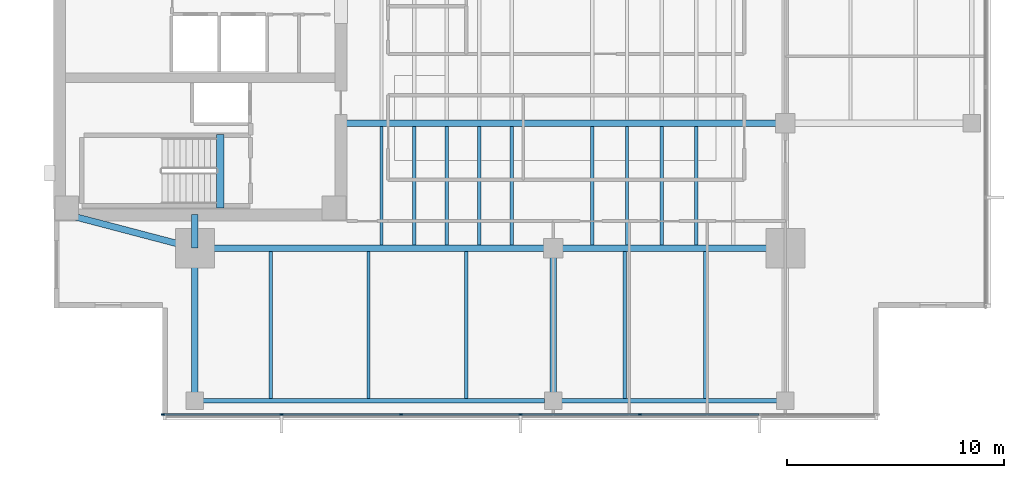
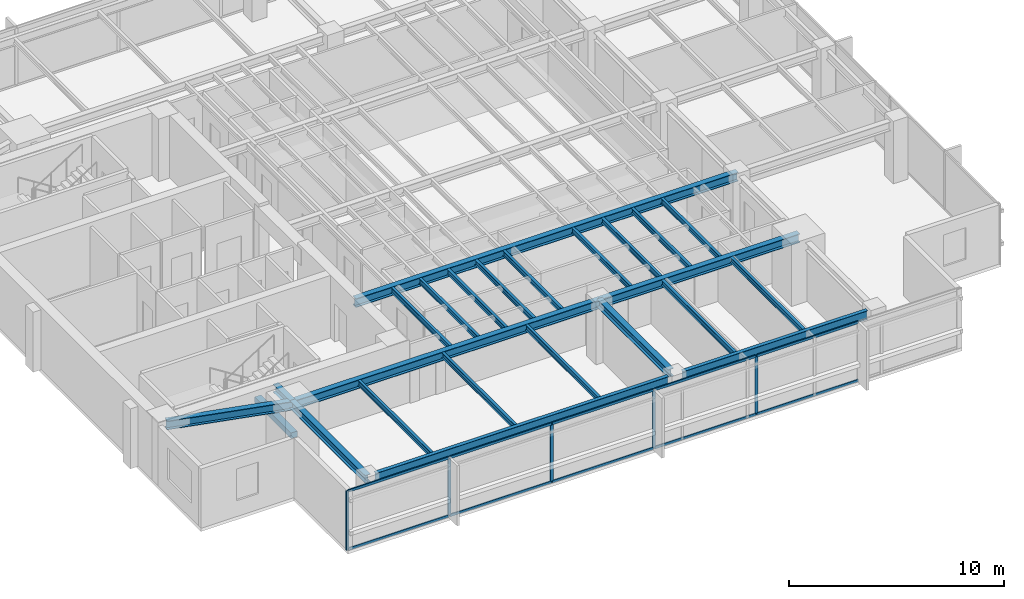
# One storey, part 2 of 14: 24 beams, 15 members, 1 element without a shape of its own.
"""IFC4 building model written with IfcOpenShell, lengths in metres."""

from ifc_helpers import new_model, si_unit, direction, frame, origin, origin_2d, place, context, subcontext, project, spatial, rectangle, i_section, extrude, material, layer, layer_set, material_profile, profile_set, type_object, element, aggregate, save


model = new_model("IFC4")

# Units and contexts
model_context = context("Model", 3, precision=1e-05, world=origin(), true_north=direction((0.0, 1.0)))
body_context = subcontext(model_context, "Body", "Model", "MODEL_VIEW")
ifc_project = project(units=[si_unit("LENGTHUNIT", "METRE"), si_unit("AREAUNIT", "SQUARE_METRE"), si_unit("VOLUMEUNIT", "CUBIC_METRE"), si_unit("PLANEANGLEUNIT", "RADIAN"), si_unit("MASSUNIT", "GRAM", prefix="KILO")], contexts=[model_context])

# Site, building, storey
site_placement = place(None, origin())
site = spatial("IfcSite", under=ifc_project, at=site_placement, CompositionType="ELEMENT")
building_placement = place(site_placement, origin())
building = spatial("IfcBuilding", under=site, at=building_placement, Name="Kinhvarn Gate Tower", CompositionType="ELEMENT")
storey_placement = place(building_placement, frame((0.0, 0.0, 227.10009765625)))
storey = spatial("IfcBuildingStorey", under=building, at=storey_placement, Name="L60", CompositionType="ELEMENT", Elevation=227.10009765625)

# Beam
ifc_material_1 = material(Name="Concrete C50/60", Category="concrete")
ifc_material_profile_1 = material_profile(ifc_material_1, rectangle(XDim=0.340087890625, YDim=0.320068359375, at=origin_2d()), Name="RC 340x320")
ifc_profile_set_1 = profile_set([ifc_material_profile_1], Name="Concrete C50/60")
beam_type_1 = type_object("IfcBeamType", Name="BM-LND-500", PredefinedType="BEAM", material=ifc_profile_set_1)
beam_1_placement = place(storey_placement, frame((12.1650390625, 14.60009765625, -0.16015625), z_axis=(0.0, 1.0, 0.0), x_axis=(-1.0, 0.0, 0.0)))
element("IfcBeam", 1, at=beam_1_placement, inside=storey, type_object=beam_type_1, Name="Stair ST1 Landing Nosing Beam (L60)", PredefinedType="BEAM", context=body_context, shape_type="SweptSolid", body=[
    extrude(rectangle(XDim=0.340087890625, YDim=0.320068359375, at=origin_2d()), origin(), (0.0, 0.0, 1.0), 3.39990234375),
])

# Curtain wall, members
ifc_material_2 = material(Name="Anodised aluminium AW-6063", Category="aluminium")
ifc_layer = layer(ifc_material_2, 0.179931640625)
ifc_layer_set = layer_set([ifc_layer], Name="Anodised aluminium AW-6063")
curtain_wall_type = type_object("IfcCurtainWallType", Name="CW-SYS-3", PredefinedType="NOTDEFINED", material=ifc_layer_set)
curtain_wall_placement = place(storey_placement, origin())
curtain_wall = element("IfcCurtainWall", 2, at=curtain_wall_placement, inside=storey, type_object=curtain_wall_type, Name="Curtain Wall CW3 (L60)", PredefinedType="NOTDEFINED")
ifc_material_profile_2 = material_profile(ifc_material_2, rectangle(XDim=0.06494140625, YDim=0.159912109375, at=origin_2d()), Name="ALU 65x160")
ifc_profile_set_2 = profile_set([ifc_material_profile_2], Name="Anodised aluminium AW-6063")
member_type_1 = type_object("IfcMemberType", Name="CW-MUL-160", PredefinedType="MULLION", material=ifc_profile_set_2)
member_1_placement = place(storey_placement, frame((9.532470703125, 5.090087890625, 0.0), z_axis=(0.0, 0.0, 1.0), x_axis=(0.0, 1.0, 0.0)))
member_1 = element("IfcMember", 3, at=member_1_placement, type_object=member_type_1, Name="CW3 mullion 1", PredefinedType="MULLION", context=body_context, shape_type="SweptSolid", body=[
    extrude(rectangle(XDim=0.06494140625, YDim=0.159912109375, at=origin_2d()), origin(), (0.0, 0.0, 1.0), 3.369873046875),
])
member_2_placement = place(storey_placement, frame((15.0, 5.090087890625, 0.0), z_axis=(0.0, 0.0, 1.0), x_axis=(0.0, 1.0, 0.0)))
member_2 = element("IfcMember", 4, at=member_2_placement, type_object=member_type_1, Name="CW3 mullion 2", PredefinedType="MULLION", context=body_context, shape_type="SweptSolid", body=[
    extrude(rectangle(XDim=0.06494140625, YDim=0.159912109375, at=origin_2d()), origin(), (0.0, 0.0, 1.0), 3.369873046875),
])
member_3_placement = place(storey_placement, frame((20.5, 5.090087890625, 0.0), z_axis=(0.0, 0.0, 1.0), x_axis=(0.0, 1.0, 0.0)))
member_3 = element("IfcMember", 5, at=member_3_placement, type_object=member_type_1, Name="CW3 mullion 3", PredefinedType="MULLION", context=body_context, shape_type="SweptSolid", body=[
    extrude(rectangle(XDim=0.06494140625, YDim=0.159912109375, at=origin_2d()), origin(), (0.0, 0.0, 1.0), 3.369873046875),
])
member_4_placement = place(storey_placement, frame((26.0, 5.090087890625, 0.0), z_axis=(0.0, 0.0, 1.0), x_axis=(0.0, 1.0, 0.0)))
member_4 = element("IfcMember", 6, at=member_4_placement, type_object=member_type_1, Name="CW3 mullion 4", PredefinedType="MULLION", context=body_context, shape_type="SweptSolid", body=[
    extrude(rectangle(XDim=0.06494140625, YDim=0.159912109375, at=origin_2d()), origin(), (0.0, 0.0, 1.0), 3.369873046875),
])
member_5_placement = place(storey_placement, frame((31.5, 5.090087890625, 0.0), z_axis=(0.0, 0.0, 1.0), x_axis=(0.0, 1.0, 0.0)))
member_5 = element("IfcMember", 7, at=member_5_placement, type_object=member_type_1, Name="CW3 mullion 5", PredefinedType="MULLION", context=body_context, shape_type="SweptSolid", body=[
    extrude(rectangle(XDim=0.06494140625, YDim=0.159912109375, at=origin_2d()), origin(), (0.0, 0.0, 1.0), 3.369873046875),
])
ifc_material_profile_3 = material_profile(ifc_material_2, rectangle(XDim=0.070068359375, YDim=0.139892578125, at=origin_2d()), Name="ALU 70x140")
ifc_profile_set_3 = profile_set([ifc_material_profile_3], Name="Anodised aluminium AW-6063")
member_type_2 = type_object("IfcMemberType", Name="CW-TRN-140", PredefinedType="USERDEFINED", material=ifc_profile_set_3)
member_6_placement = place(storey_placement, frame((9.56494140625, 5.090087890625, 0.034912109375), z_axis=(1.0, 0.0, 0.0), x_axis=(0.0, 1.0, 0.0)))
member_6 = element("IfcMember", 8, at=member_6_placement, type_object=member_type_2, Name="CW3 transom 1.1", ObjectType="TRANSOM", PredefinedType="USERDEFINED", context=body_context, shape_type="SweptSolid", body=[
    extrude(rectangle(XDim=0.070068359375, YDim=0.139892578125, at=origin_2d()), origin(), (0.0, 0.0, 1.0), 5.402587890625),
])
member_7_placement = place(storey_placement, frame((9.56494140625, 5.090087890625, 3.3349609375), z_axis=(1.0, 0.0, 0.0), x_axis=(0.0, 1.0, 0.0)))
member_7 = element("IfcMember", 9, at=member_7_placement, type_object=member_type_2, Name="CW3 transom 1.2", ObjectType="TRANSOM", PredefinedType="USERDEFINED", context=body_context, shape_type="SweptSolid", body=[
    extrude(rectangle(XDim=0.070068359375, YDim=0.139892578125, at=origin_2d()), origin(), (0.0, 0.0, 1.0), 5.402587890625),
])
member_8_placement = place(storey_placement, frame((15.032470703125, 5.090087890625, 0.034912109375), z_axis=(1.0, 0.0, 0.0), x_axis=(0.0, 1.0, 0.0)))
member_8 = element("IfcMember", 10, at=member_8_placement, type_object=member_type_2, Name="CW3 transom 2.1", ObjectType="TRANSOM", PredefinedType="USERDEFINED", context=body_context, shape_type="SweptSolid", body=[
    extrude(rectangle(XDim=0.070068359375, YDim=0.139892578125, at=origin_2d()), origin(), (0.0, 0.0, 1.0), 5.43505859375),
])
member_9_placement = place(storey_placement, frame((15.032470703125, 5.090087890625, 3.3349609375), z_axis=(1.0, 0.0, 0.0), x_axis=(0.0, 1.0, 0.0)))
member_9 = element("IfcMember", 11, at=member_9_placement, type_object=member_type_2, Name="CW3 transom 2.2", ObjectType="TRANSOM", PredefinedType="USERDEFINED", context=body_context, shape_type="SweptSolid", body=[
    extrude(rectangle(XDim=0.070068359375, YDim=0.139892578125, at=origin_2d()), origin(), (0.0, 0.0, 1.0), 5.43505859375),
])
member_10_placement = place(storey_placement, frame((20.532470703125, 5.090087890625, 0.034912109375), z_axis=(1.0, 0.0, 0.0), x_axis=(0.0, 1.0, 0.0)))
member_10 = element("IfcMember", 12, at=member_10_placement, type_object=member_type_2, Name="CW3 transom 3.1", ObjectType="TRANSOM", PredefinedType="USERDEFINED", context=body_context, shape_type="SweptSolid", body=[
    extrude(rectangle(XDim=0.070068359375, YDim=0.139892578125, at=origin_2d()), origin(), (0.0, 0.0, 1.0), 5.43505859375),
])
member_11_placement = place(storey_placement, frame((20.532470703125, 5.090087890625, 3.3349609375), z_axis=(1.0, 0.0, 0.0), x_axis=(0.0, 1.0, 0.0)))
member_11 = element("IfcMember", 13, at=member_11_placement, type_object=member_type_2, Name="CW3 transom 3.2", ObjectType="TRANSOM", PredefinedType="USERDEFINED", context=body_context, shape_type="SweptSolid", body=[
    extrude(rectangle(XDim=0.070068359375, YDim=0.139892578125, at=origin_2d()), origin(), (0.0, 0.0, 1.0), 5.43505859375),
])
member_12_placement = place(storey_placement, frame((26.032470703125, 5.090087890625, 0.034912109375), z_axis=(1.0, 0.0, 0.0), x_axis=(0.0, 1.0, 0.0)))
member_12 = element("IfcMember", 14, at=member_12_placement, type_object=member_type_2, Name="CW3 transom 4.1", ObjectType="TRANSOM", PredefinedType="USERDEFINED", context=body_context, shape_type="SweptSolid", body=[
    extrude(rectangle(XDim=0.070068359375, YDim=0.139892578125, at=origin_2d()), origin(), (0.0, 0.0, 1.0), 5.43505859375),
])
member_13_placement = place(storey_placement, frame((26.032470703125, 5.090087890625, 3.3349609375), z_axis=(1.0, 0.0, 0.0), x_axis=(0.0, 1.0, 0.0)))
member_13 = element("IfcMember", 15, at=member_13_placement, type_object=member_type_2, Name="CW3 transom 4.2", ObjectType="TRANSOM", PredefinedType="USERDEFINED", context=body_context, shape_type="SweptSolid", body=[
    extrude(rectangle(XDim=0.070068359375, YDim=0.139892578125, at=origin_2d()), origin(), (0.0, 0.0, 1.0), 5.43505859375),
])
member_14_placement = place(storey_placement, frame((31.532470703125, 5.090087890625, 0.034912109375), z_axis=(1.0, 0.0, 0.0), x_axis=(0.0, 1.0, 0.0)))
member_14 = element("IfcMember", 16, at=member_14_placement, type_object=member_type_2, Name="CW3 transom 5.1", ObjectType="TRANSOM", PredefinedType="USERDEFINED", context=body_context, shape_type="SweptSolid", body=[
    extrude(rectangle(XDim=0.070068359375, YDim=0.139892578125, at=origin_2d()), origin(), (0.0, 0.0, 1.0), 5.43505859375),
])
member_15_placement = place(storey_placement, frame((31.532470703125, 5.090087890625, 3.3349609375), z_axis=(1.0, 0.0, 0.0), x_axis=(0.0, 1.0, 0.0)))
member_15 = element("IfcMember", 17, at=member_15_placement, type_object=member_type_2, Name="CW3 transom 5.2", ObjectType="TRANSOM", PredefinedType="USERDEFINED", context=body_context, shape_type="SweptSolid", body=[
    extrude(rectangle(XDim=0.070068359375, YDim=0.139892578125, at=origin_2d()), origin(), (0.0, 0.0, 1.0), 5.43505859375),
])
aggregate(curtain_wall, [member_1, member_2, member_3, member_4, member_5, member_6, member_7, member_8, member_9, member_10, member_11, member_12, member_13, member_14, member_15])

# Beams
ifc_material_3 = material(Name="Steel S355", Category="steel")
ifc_material_profile_4 = material_profile(ifc_material_3, i_section(OverallWidth=0.300048828125, OverallDepth=0.449951171875, WebThickness=0.013916015625, FlangeThickness=0.02587890625, at=origin_2d()), Name="HEB 450")
ifc_profile_set_4 = profile_set([ifc_material_profile_4], Name="Steel S355")
beam_type_2 = type_object("IfcBeamType", Name="STL-HEB450", PredefinedType="BEAM", material=ifc_profile_set_4)
beam_2_placement = place(storey_placement, frame((11.0, 5.719970703125, 3.14501953125), z_axis=(0.0, 1.0, 0.0), x_axis=(-1.0, 0.0, 0.0)))
element("IfcBeam", 18, at=beam_2_placement, inside=storey, type_object=beam_type_2, Name="Floor Beam PG-13 (L60 MCW-S)", PredefinedType="BEAM", context=body_context, shape_type="SweptSolid", body=[
    extrude(i_section(OverallWidth=0.300048828125, OverallDepth=0.449951171875, WebThickness=0.013916015625, FlangeThickness=0.02587890625, at=origin_2d()), origin(), (0.0, 0.0, 1.0), 7.030029296875),
])
beam_3_placement = place(storey_placement, frame((11.0, 12.75, 3.14501953125), z_axis=(0.0, 1.0, 0.0), x_axis=(-1.0, 0.0, 0.0)))
element("IfcBeam", 19, at=beam_3_placement, inside=storey, type_object=beam_type_2, Name="Floor Beam PG-13 (L60 MCW-CS)", PredefinedType="BEAM", context=body_context, shape_type="SweptSolid", body=[
    extrude(i_section(OverallWidth=0.300048828125, OverallDepth=0.449951171875, WebThickness=0.013916015625, FlangeThickness=0.02587890625, at=origin_2d()), origin(), (0.0, 0.0, 1.0), 1.550048828125),
])
beam_4_placement = place(storey_placement, frame((27.5, 6.10498046875, 3.14501953125), z_axis=(0.0, 1.0, 0.0), x_axis=(-1.0, 0.0, 0.0)))
element("IfcBeam", 20, at=beam_4_placement, inside=storey, type_object=beam_type_2, Name="Floor Beam PG-13 (L60 SP27-S-TIE)", PredefinedType="BEAM", context=body_context, shape_type="SweptSolid", body=[
    extrude(i_section(OverallWidth=0.300048828125, OverallDepth=0.449951171875, WebThickness=0.013916015625, FlangeThickness=0.02587890625, at=origin_2d()), origin(), (0.0, 0.0, 1.0), 6.64501953125),
])
ifc_material_profile_5 = material_profile(ifc_material_3, i_section(OverallWidth=0.300048828125, OverallDepth=0.5, WebThickness=0.014404296875, FlangeThickness=0.028076171875, at=origin_2d()), Name="HEB 500")
ifc_profile_set_5 = profile_set([ifc_material_profile_5], Name="Steel S355")
beam_type_3 = type_object("IfcBeamType", Name="STL-HEB500", PredefinedType="BEAM", material=ifc_profile_set_5)
beam_5_placement = place(storey_placement, frame((11.0, 12.75, 3.119873046875), z_axis=(1.0, 0.0, 0.0), x_axis=(0.0, 1.0, 0.0)))
element("IfcBeam", 21, at=beam_5_placement, inside=storey, type_object=beam_type_3, Name="Floor Beam PG-14 (L60 MG-S1)", PredefinedType="BEAM", context=body_context, shape_type="SweptSolid", body=[
    extrude(i_section(OverallWidth=0.300048828125, OverallDepth=0.5, WebThickness=0.014404296875, FlangeThickness=0.028076171875, at=origin_2d()), origin(), (0.0, 0.0, 1.0), 16.5),
])
beam_6_placement = place(storey_placement, frame((27.5, 12.75, 3.119873046875), z_axis=(1.0, 0.0, 0.0), x_axis=(0.0, 1.0, 0.0)))
element("IfcBeam", 22, at=beam_6_placement, inside=storey, type_object=beam_type_3, Name="Floor Beam PG-14 (L60 MG-S2)", PredefinedType="BEAM", context=body_context, shape_type="SweptSolid", body=[
    extrude(i_section(OverallWidth=0.300048828125, OverallDepth=0.5, WebThickness=0.014404296875, FlangeThickness=0.028076171875, at=origin_2d()), origin(), (0.0, 0.0, 1.0), 10.699951171875),
])
beam_7_placement = place(storey_placement, frame((5.10009765625, 14.300048828125, 3.119873046875), z_axis=(0.967177623957, -0.254101246979, 0.0), x_axis=(0.254101246979, 0.967177623957, 0.0)))
element("IfcBeam", 23, at=beam_7_placement, inside=storey, type_object=beam_type_3, Name="Floor Beam PG-14 (L60 MG-SW-DIAG)", PredefinedType="BEAM", context=body_context, shape_type="SweptSolid", body=[
    extrude(i_section(OverallWidth=0.300048828125, OverallDepth=0.5, WebThickness=0.014404296875, FlangeThickness=0.028076171875, at=origin_2d()), origin(), (0.0, 0.0, 1.0), 6.10009765625),
])
beam_8_placement = place(storey_placement, frame((17.64990234375, 18.5, 3.119873046875), z_axis=(1.0, 0.0, 0.0), x_axis=(0.0, 1.0, 0.0)))
element("IfcBeam", 24, at=beam_8_placement, inside=storey, type_object=beam_type_3, Name="Floor Beam PG-14 (L60 EW1-Y18)", PredefinedType="BEAM", context=body_context, shape_type="SweptSolid", body=[
    extrude(i_section(OverallWidth=0.300048828125, OverallDepth=0.5, WebThickness=0.014404296875, FlangeThickness=0.028076171875, at=origin_2d()), origin(), (0.0, 0.0, 1.0), 20.550048828125),
])
ifc_material_profile_6 = material_profile(ifc_material_3, i_section(OverallWidth=0.14990234375, OverallDepth=0.300048828125, WebThickness=0.007080078125, FlangeThickness=0.0107421875, at=origin_2d()), Name="IPE 300")
ifc_profile_set_6 = profile_set([ifc_material_profile_6], Name="Steel S355")
beam_type_4 = type_object("IfcBeamType", Name="STL-IPE300", PredefinedType="JOIST", material=ifc_profile_set_6)
for number, where, z_axis, x_axis, name in (
    (25, (19.60009765625, 12.89990234375, 3.219970703125), (0.0, 1.0, 0.0), (-1.0, 0.0, 0.0), "Floor Joist SB-02 (L60 JC-X196-0)"),
    (26, (21.10009765625, 12.89990234375, 3.219970703125), (0.0, 1.0, 0.0), (-1.0, 0.0, 0.0), "Floor Joist SB-02 (L60 JC-X211-0)"),
    (27, (22.60009765625, 12.89990234375, 3.219970703125), (0.0, 1.0, 0.0), (-1.0, 0.0, 0.0), "Floor Joist SB-02 (L60 JC-X226-0)"),
    (28, (24.10009765625, 12.89990234375, 3.219970703125), (0.0, 1.0, 0.0), (-1.0, 0.0, 0.0), "Floor Joist SB-02 (L60 JC-X241-0)"),
    (29, (25.60009765625, 12.89990234375, 3.219970703125), (0.0, 1.0, 0.0), (-1.0, 0.0, 0.0), "Floor Joist SB-02 (L60 JC-X256-0)"),
    (30, (29.300048828125, 12.89990234375, 3.219970703125), (0.0, 1.0, 0.0), (-1.0, 0.0, 0.0), "Floor Joist SB-02 (L60 JC-X293-0)"),
    (31, (30.89990234375, 12.89990234375, 3.219970703125), (0.0, 1.0, 0.0), (-1.0, 0.0, 0.0), "Floor Joist SB-02 (L60 JC-X309-0)"),
    (32, (32.5, 12.89990234375, 3.219970703125), (0.0, 1.0, 0.0), (-1.0, 0.0, 0.0), "Floor Joist SB-02 (L60 JC-X325-0)"),
    (33, (34.10009765625, 12.89990234375, 3.219970703125), (0.0, 1.0, 0.0), (-1.0, 0.0, 0.0), "Floor Joist SB-02 (L60 JC-X341-0)"),
):
    element("IfcBeam", number, at=place(storey_placement, frame(where, z_axis=z_axis, x_axis=x_axis)), inside=storey, type_object=beam_type_4, Name=name, PredefinedType="JOIST", context=body_context, shape_type="SweptSolid", body=[
        extrude(i_section(OverallWidth=0.14990234375, OverallDepth=0.300048828125, WebThickness=0.007080078125, FlangeThickness=0.0107421875, at=origin_2d()), origin(), (0.0, 0.0, 1.0), 5.4501953125),
    ])
for number, where, z_axis, x_axis, name in (
    (34, (14.5, 5.820068359375, 3.219970703125), (0.0, 1.0, 0.0), (-1.0, 0.0, 0.0), "Floor Joist SB-02 (L60 JS-X145)"),
    (35, (19.0, 5.820068359375, 3.219970703125), (0.0, 1.0, 0.0), (-1.0, 0.0, 0.0), "Floor Joist SB-02 (L60 JS-X190)"),
    (36, (23.5, 5.820068359375, 3.219970703125), (0.0, 1.0, 0.0), (-1.0, 0.0, 0.0), "Floor Joist SB-02 (L60 JS-X235)"),
    (37, (30.800048828125, 5.820068359375, 3.219970703125), (0.0, 1.0, 0.0), (-1.0, 0.0, 0.0), "Floor Joist SB-02 (L60 JS-X308)"),
    (38, (34.5, 5.820068359375, 3.219970703125), (0.0, 1.0, 0.0), (-1.0, 0.0, 0.0), "Floor Joist SB-02 (L60 JS-X345)"),
):
    element("IfcBeam", number, at=place(storey_placement, frame(where, z_axis=z_axis, x_axis=x_axis)), inside=storey, type_object=beam_type_4, Name=name, PredefinedType="JOIST", context=body_context, shape_type="SweptSolid", body=[
        extrude(i_section(OverallWidth=0.14990234375, OverallDepth=0.300048828125, WebThickness=0.007080078125, FlangeThickness=0.0107421875, at=origin_2d()), origin(), (0.0, 0.0, 1.0), 6.780029296875),
    ])
ifc_material_profile_7 = material_profile(ifc_material_3, i_section(OverallWidth=0.199951171875, OverallDepth=0.5, WebThickness=0.01025390625, FlangeThickness=0.01611328125, at=origin_2d()), Name="IPE 500")
ifc_profile_set_7 = profile_set([ifc_material_profile_7], Name="Steel S355")
beam_type_5 = type_object("IfcBeamType", Name="STL-IPE500", PredefinedType="SPANDREL", material=ifc_profile_set_7)
beam_9_placement = place(storey_placement, frame((11.385009765625, 5.719970703125, 3.119873046875), z_axis=(1.0, 0.0, 0.0), x_axis=(0.0, 1.0, 0.0)))
element("IfcBeam", 39, at=beam_9_placement, inside=storey, type_object=beam_type_5, Name="Floor Spandrel SB-07 (L60 SP-S1)", PredefinedType="SPANDREL", context=body_context, shape_type="SweptSolid", body=[
    extrude(i_section(OverallWidth=0.199951171875, OverallDepth=0.5, WebThickness=0.01025390625, FlangeThickness=0.01611328125, at=origin_2d()), origin(), (0.0, 0.0, 1.0), 15.72998046875),
])
beam_10_placement = place(storey_placement, frame((27.885009765625, 5.719970703125, 3.119873046875), z_axis=(1.0, 0.0, 0.0), x_axis=(0.0, 1.0, 0.0)))
element("IfcBeam", 40, at=beam_10_placement, inside=storey, type_object=beam_type_5, Name="Floor Spandrel SB-07 (L60 SP-S2)", PredefinedType="SPANDREL", context=body_context, shape_type="SweptSolid", body=[
    extrude(i_section(OverallWidth=0.199951171875, OverallDepth=0.5, WebThickness=0.01025390625, FlangeThickness=0.01611328125, at=origin_2d()), origin(), (0.0, 0.0, 1.0), 9.929931640625),
])

save(model, "model.ifc")
